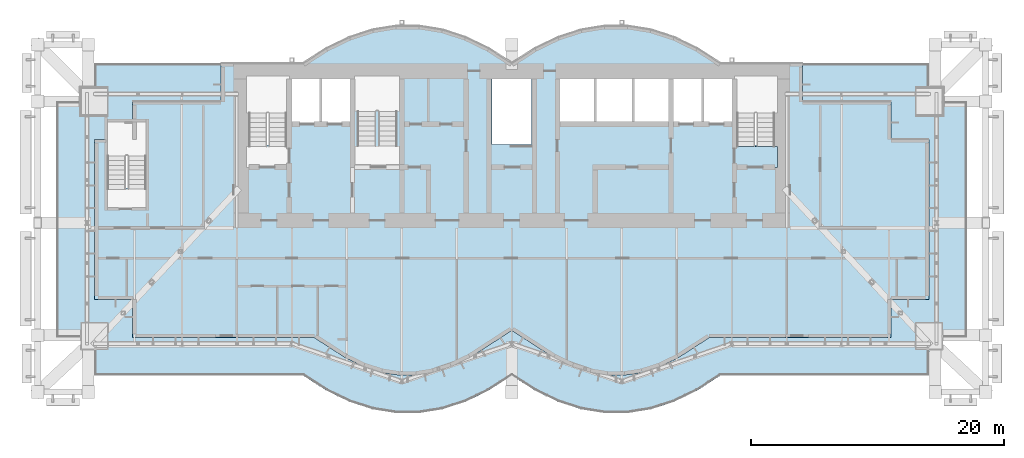
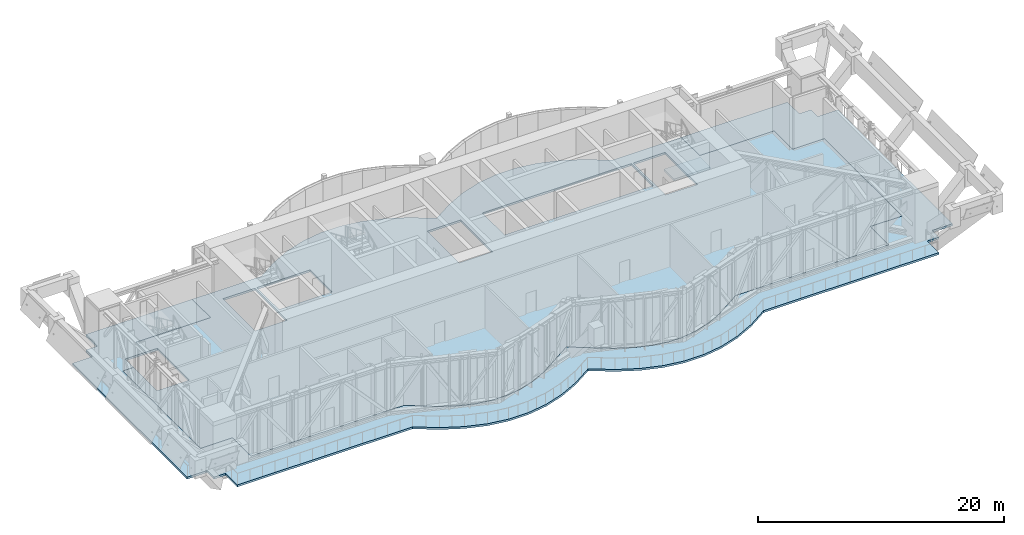
# One storey, part 11 of 20: 3 slabs, 1 element without a shape of its own.
"""IFC4 building model written with IfcOpenShell, lengths in metres."""

from ifc_helpers import new_model, si_unit, direction, frame, origin, place, context, subcontext, project, spatial, polyline, outline, extrude, material, layer, layer_set, type_object, element, aggregate, save


model = new_model("IFC4")

# Units and contexts
model_context = context("Model", 3, precision=1e-05, world=origin(), true_north=direction((0.0, 1.0)))
body_context = subcontext(model_context, "Body", "Model", "MODEL_VIEW")
ifc_project = project(units=[si_unit("LENGTHUNIT", "METRE"), si_unit("AREAUNIT", "SQUARE_METRE"), si_unit("VOLUMEUNIT", "CUBIC_METRE"), si_unit("PLANEANGLEUNIT", "RADIAN"), si_unit("MASSUNIT", "GRAM", prefix="KILO")], contexts=[model_context])

# Site, building, storey
site_placement = place(None, origin())
site = spatial("IfcSite", under=ifc_project, at=site_placement, CompositionType="ELEMENT")
building_placement = place(site_placement, origin())
building = spatial("IfcBuilding", under=site, at=building_placement, Name="Bicima Exchange Tower", CompositionType="ELEMENT")
storey_placement = place(building_placement, frame((0.0, 0.0, 342.5)))
storey = spatial("IfcBuildingStorey", under=building, at=storey_placement, Name="L77", CompositionType="ELEMENT", Elevation=342.5)

# Slabs
ifc_material_1 = material(Name="Concrete C40/50", Category="concrete")
ifc_layer_1 = layer(ifc_material_1, 0.199951171875)
ifc_layer_set_1 = layer_set([ifc_layer_1], Name="Concrete C40/50")
slab_type_1 = type_object("IfcSlabType", Name="Composite refuge floor slab 200", PredefinedType="FLOOR", material=ifc_layer_set_1)
slab_1_placement = place(storey_placement, frame((0.0, 0.0, -0.199951171875)))
element("IfcSlab", 1, at=slab_1_placement, inside=storey, type_object=slab_type_1, Name="Floor slab", PredefinedType="FLOOR", context=body_context, shape_type="SweptSolid", body=[
    extrude(outline(polyline([(-30.0, -3.0), (-23.0, -3.0), (-23.0, 0.0), (-16.5, 0.0), (-14.666748046875, 1.185302734375), (-12.833251953125, 2.07421875), (-11.0, 2.666748046875), (-9.166748046875, 2.962890625), (-7.333251953125, 2.962890625), (-5.5, 2.666748046875), (-3.666748046875, 2.07421875), (-1.833251953125, 1.185302734375), (0.0, 0.0), (1.833251953125, 1.185302734375), (3.666748046875, 2.07421875), (5.5, 2.666748046875), (7.333251953125, 2.962890625), (9.166748046875, 2.962890625), (11.0, 2.666748046875), (12.833251953125, 2.07421875), (14.666748046875, 1.185302734375), (16.5, 0.0), (23.0, 0.0), (23.0, -3.0), (30.0, -3.0), (30.0, -6.0), (33.0, -6.0), (33.0, -18.676025390625), (30.0, -18.676025390625), (30.0, -21.676025390625), (15.61474609375, -21.676025390625), (13.1923828125, -23.241943359375), (11.712158203125, -23.959716796875), (10.295166015625, -24.417724609375), (8.92578125, -24.638916015625), (7.57421875, -24.638916015625), (6.204833984375, -24.417724609375), (4.787841796875, -23.959716796875), (3.3076171875, -23.241943359375), (0.0, -21.103759765625), (-3.3076171875, -23.241943359375), (-4.787841796875, -23.959716796875), (-6.204833984375, -24.417724609375), (-7.57421875, -24.638916015625), (-8.92578125, -24.638916015625), (-10.295166015625, -24.417724609375), (-11.712158203125, -23.959716796875), (-13.1923828125, -23.241943359375), (-15.61474609375, -21.676025390625), (-30.0, -21.676025390625), (-30.0, -18.676025390625), (-33.0, -18.676025390625), (-33.0, -6.0), (-31.97509765625, -6.0), (-31.97509765625, -9.824951171875), (-28.925048828125, -9.824951171875), (-28.925048828125, -4.625), (-30.0, -4.625), (-30.0, -3.0)]), holes=[polyline([(-17.800048828125, -6.449951171875), (-17.800048828125, -1.199951171875), (-20.800048828125, -1.199951171875), (-20.800048828125, -6.449951171875), (-17.800048828125, -6.449951171875)]), polyline([(1.574951171875, -6.39990234375), (1.574951171875, -1.199951171875), (-1.574951171875, -1.199951171875), (-1.574951171875, -6.39990234375), (1.574951171875, -6.39990234375)]), polyline([(-12.60009765625, -4.800048828125), (-12.60009765625, -1.199951171875), (-15.10009765625, -1.199951171875), (-17.60009765625, -1.199951171875), (-17.60009765625, -4.800048828125), (-15.10009765625, -4.800048828125), (-12.60009765625, -4.800048828125)]), polyline([(9.60009765625, -1.199951171875), (6.60009765625, -1.199951171875), (3.60009765625, -1.199951171875), (3.60009765625, -4.800048828125), (6.60009765625, -4.800048828125), (9.60009765625, -4.800048828125), (12.60009765625, -4.800048828125), (15.10009765625, -4.800048828125), (17.60009765625, -4.800048828125), (17.60009765625, -1.199951171875), (15.10009765625, -1.199951171875), (12.60009765625, -1.199951171875), (9.60009765625, -1.199951171875)]), polyline([(17.800048828125, -6.449951171875), (20.800048828125, -6.449951171875), (20.800048828125, -1.199951171875), (17.800048828125, -1.199951171875), (17.800048828125, -6.449951171875)])]), origin(), (0.0, 0.0, 1.0), 0.199951171875),
])
slab_2_placement = place(storey_placement, frame((0.0, 0.0, -0.199951171875)))
element("IfcSlab", 2, at=slab_2_placement, inside=storey, type_object=slab_type_1, Name="Refuge terrace slab", PredefinedType="FLOOR", context=body_context, shape_type="SweptSolid", body=[
    extrude(outline(polyline([(-33.0, -6.0), (-33.0, -18.676025390625), (-30.0, -18.676025390625), (-30.0, -21.676025390625), (-15.61474609375, -21.676025390625), (-13.1923828125, -23.241943359375), (-11.712158203125, -23.959716796875), (-10.295166015625, -24.417724609375), (-8.92578125, -24.638916015625), (-7.57421875, -24.638916015625), (-6.204833984375, -24.417724609375), (-4.787841796875, -23.959716796875), (-3.3076171875, -23.241943359375), (0.0, -21.103759765625), (3.3076171875, -23.241943359375), (4.787841796875, -23.959716796875), (6.204833984375, -24.417724609375), (7.57421875, -24.638916015625), (8.92578125, -24.638916015625), (10.295166015625, -24.417724609375), (11.712158203125, -23.959716796875), (13.1923828125, -23.241943359375), (15.61474609375, -21.676025390625), (30.0, -21.676025390625), (30.0, -18.676025390625), (33.0, -18.676025390625), (33.0, -6.0), (30.0, -6.0), (30.0, -3.0), (23.0, -3.0), (23.0, 0.0), (33.0, 0.0), (33.0, -1.89990234375), (34.10009765625, -1.89990234375), (34.10009765625, -3.0), (36.0, -3.0), (36.0, -21.676025390625), (34.10009765625, -21.676025390625), (34.10009765625, -22.77587890625), (33.0, -22.77587890625), (33.0, -24.676025390625), (16.5, -24.676025390625), (14.666748046875, -25.861083984375), (12.833251953125, -26.75), (11.0, -27.3427734375), (9.166748046875, -27.638916015625), (7.333251953125, -27.638916015625), (5.5, -27.3427734375), (3.666748046875, -26.75), (1.833251953125, -25.861083984375), (0.0, -24.676025390625), (-1.833251953125, -25.861083984375), (-3.666748046875, -26.75), (-5.5, -27.3427734375), (-7.333251953125, -27.638916015625), (-9.166748046875, -27.638916015625), (-11.0, -27.3427734375), (-12.833251953125, -26.75), (-14.666748046875, -25.861083984375), (-16.5, -24.676025390625), (-33.0, -24.676025390625), (-33.0, -22.77587890625), (-34.10009765625, -22.77587890625), (-34.10009765625, -21.676025390625), (-36.0, -21.676025390625), (-36.0, -3.0), (-34.10009765625, -3.0), (-34.10009765625, -1.89990234375), (-33.0, -1.89990234375), (-33.0, 0.0), (-23.0, 0.0), (-23.0, -3.0), (-30.0, -3.0), (-30.0, -4.625), (-31.97509765625, -4.625), (-31.97509765625, -6.0), (-33.0, -6.0)])), origin(), (0.0, 0.0, 1.0), 0.199951171875),
])

# Stair, slab
ifc_material_2 = material(Name="Concrete C50/60", Category="concrete")
stair_type = type_object("IfcStairType", Name="Exit stair", PredefinedType="HALF_TURN_STAIR", material=ifc_material_2)
stair_placement = place(storey_placement, origin())
stair = element("IfcStair", 3, at=stair_placement, inside=storey, type_object=stair_type, Name="L77 East exit stair", PredefinedType="HALF_TURN_STAIR")
ifc_layer_2 = layer(ifc_material_2, 0.199951171875)
ifc_layer_set_2 = layer_set([ifc_layer_2], Name="Concrete C50/60")
slab_type_2 = type_object("IfcSlabType", Name="Stair landing slab", PredefinedType="LANDING", material=ifc_layer_set_2)
slab_3_placement = place(storey_placement, frame((0.0, 0.0, 2.5)))
slab_3 = element("IfcSlab", 4, at=slab_3_placement, type_object=slab_type_2, Name="ST-E landing 2", PredefinedType="LANDING", context=body_context, shape_type="SweptSolid", body=[
    extrude(outline(polyline([(21.0, -8.199951171875), (21.0, -6.550048828125), (17.60009765625, -6.550048828125), (17.60009765625, -8.199951171875), (21.0, -8.199951171875)])), origin(), (0.0, 0.0, 1.0), 0.199951171875),
])
aggregate(stair, [slab_3])

save(model, "model.ifc")
